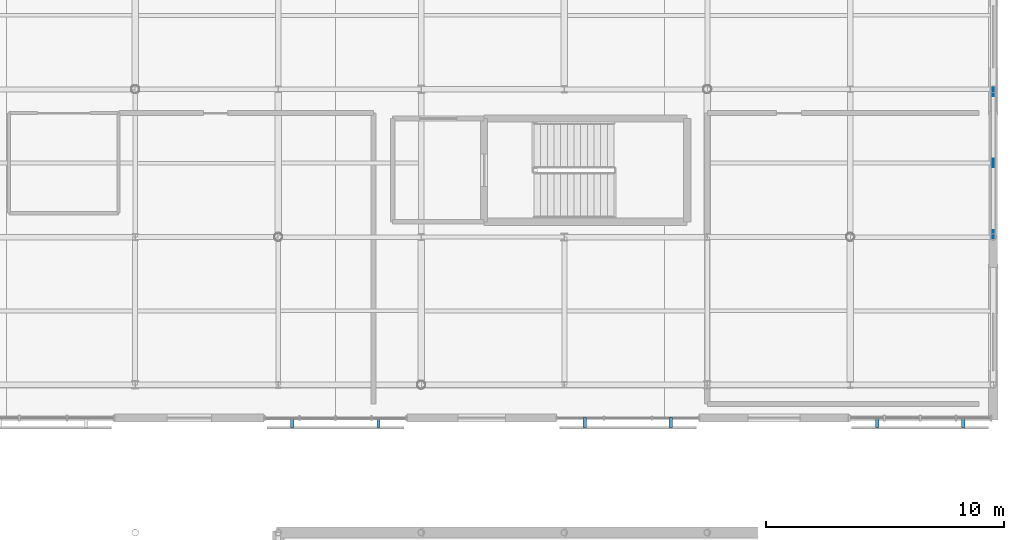
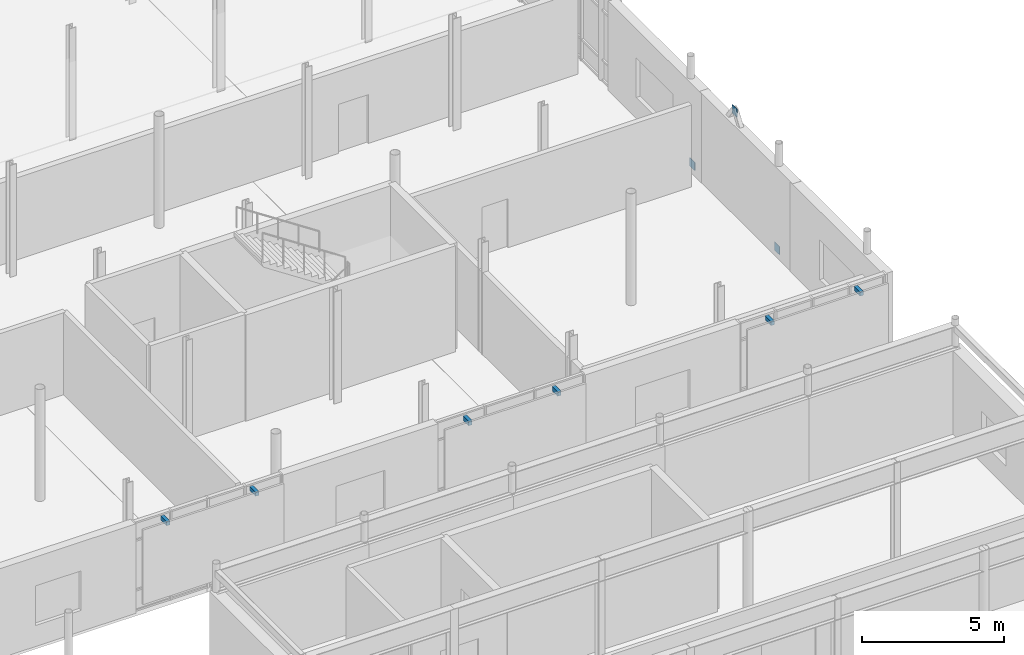
# One storey, part 72 of 84: 9 discrete accessories.
"""IFC4 building model written with IfcOpenShell, lengths in metres."""

from ifc_helpers import new_model, si_unit, direction, frame, origin, origin_2d, place, context, subcontext, project, spatial, rectangle, extrude, material, type_object, element, save


model = new_model("IFC4")

# Units and contexts
model_context = context("Model", 3, precision=1e-05, world=origin(), true_north=direction((0.0, 1.0)))
body_context = subcontext(model_context, "Body", "Model", "MODEL_VIEW")
ifc_project = project(units=[si_unit("LENGTHUNIT", "METRE"), si_unit("AREAUNIT", "SQUARE_METRE"), si_unit("VOLUMEUNIT", "CUBIC_METRE"), si_unit("PLANEANGLEUNIT", "RADIAN"), si_unit("MASSUNIT", "GRAM", prefix="KILO")], contexts=[model_context])

# Site, building, storey
site_placement = place(None, origin())
site = spatial("IfcSite", under=ifc_project, at=site_placement, CompositionType="ELEMENT")
building_placement = place(site_placement, origin())
building = spatial("IfcBuilding", under=site, at=building_placement, Name="Mirzam Square Science Centre", CompositionType="ELEMENT")
storey_placement = place(building_placement, frame((0.0, 0.0, 10.800048828125)))
storey = spatial("IfcBuildingStorey", under=building, at=storey_placement, Name="L02", CompositionType="ELEMENT", Elevation=10.800048828125)

# Discrete accessories
ifc_material = material(Name="Steel S355", Category="steel")
discrete_accessory_type_1 = type_object("IfcDiscreteAccessoryType", Name="BK-BRACE-GUSSET", PredefinedType="BRACKET", material=ifc_material)
for number, where, z_axis, x_axis, name in (
    (1, (162.0, 49.719970703125, -0.005126953125), (0.0, 0.0, 1.0), (0.0, 1.0, 0.0), "L02 brace gusset plate 4A"),
    (2, (162.0, 55.679931640625, -0.005126953125), (0.0, 0.0, 1.0), (0.0, 1.0, 0.0), "L02 brace gusset plate 4B"),
    (3, (162.0, 52.699951171875, 4.079833984375), (0.0, 0.0, 1.0), (0.0, 1.0, 0.0), "L02 brace apex gusset plate 4"),
):
    element("IfcDiscreteAccessory", number, at=place(storey_placement, frame(where, z_axis=z_axis, x_axis=x_axis)), inside=storey, type_object=discrete_accessory_type_1, Name=name, PredefinedType="BRACKET", context=body_context, shape_type="SweptSolid", body=[
        extrude(rectangle(XDim=0.35009765625, YDim=0.02490234375, at=origin_2d()), origin(), (0.0, 0.0, 1.0), 0.35009765625),
    ])
discrete_accessory_type_2 = type_object("IfcDiscreteAccessoryType", Name="BRK-BRISE-STEEL", PredefinedType="BRACKET", material=ifc_material)
for number, where, z_axis, x_axis, name in (
    (4, (132.593017578125, 41.81005859375, 3.5), (0.0, 0.0, 1.0), (1.0, 0.0, 0.0), "L02 brise-soleil support bracket 92"),
    (5, (136.20703125, 41.81005859375, 3.5), (0.0, 0.0, 1.0), (1.0, 0.0, 0.0), "L02 brise-soleil support bracket 92"),
    (6, (144.859619140625, 41.81005859375, 3.5), (0.0, 0.0, 1.0), (1.0, 0.0, 0.0), "L02 brise-soleil support bracket 93"),
    (7, (148.4736328125, 41.81005859375, 3.5), (0.0, 0.0, 1.0), (1.0, 0.0, 0.0), "L02 brise-soleil support bracket 93"),
    (8, (157.12646484375, 41.81005859375, 3.5), (0.0, 0.0, 1.0), (1.0, 0.0, 0.0), "L02 brise-soleil support bracket 94"),
    (9, (160.740234375, 41.81005859375, 3.5), (0.0, 0.0, 1.0), (1.0, 0.0, 0.0), "L02 brise-soleil support bracket 94"),
):
    element("IfcDiscreteAccessory", number, at=place(storey_placement, frame(where, z_axis=z_axis, x_axis=x_axis)), inside=storey, type_object=discrete_accessory_type_2, Name=name, PredefinedType="BRACKET", context=body_context, shape_type="SweptSolid", body=[
        extrude(rectangle(XDim=0.139892578125, YDim=0.419921875, at=origin_2d()), origin(), (0.0, 0.0, 1.0), 0.179931640625),
    ])

save(model, "model.ifc")
